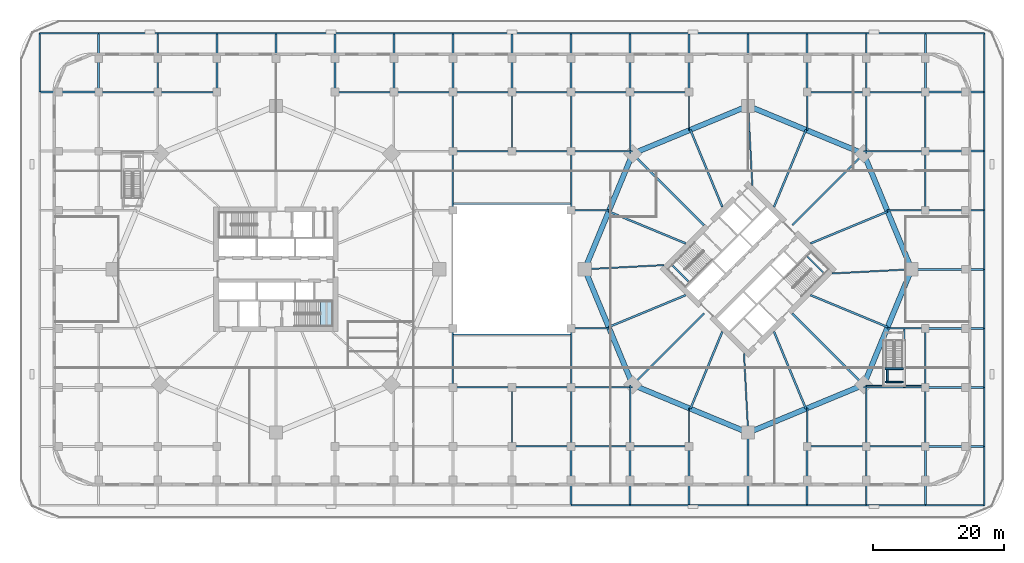
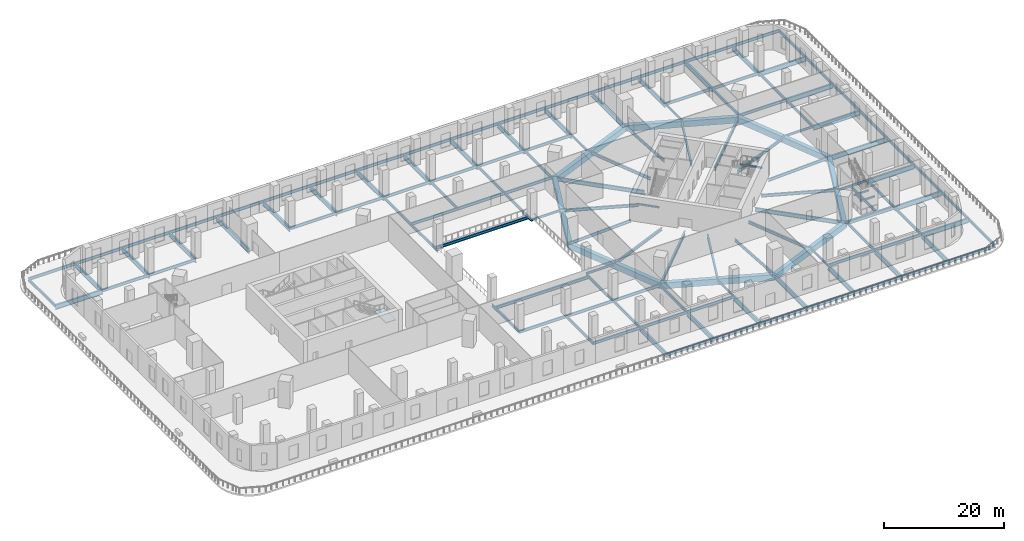
# One storey, part 2 of 20: 143 beams, 1 slab, 1 element without a shape of its own.
"""IFC4 building model written with IfcOpenShell, lengths in metres."""

from ifc_helpers import new_model, si_unit, direction, frame, origin, origin_2d, place, context, subcontext, project, spatial, polyline, rectangle, hollow_rectangle, i_section, outline, extrude, material, layer, layer_set, material_profile, profile_set, type_object, element, aggregate, save


model = new_model("IFC4")

# Units and contexts
model_context = context("Model", 3, precision=1e-05, world=origin(), true_north=direction((0.0, 1.0)))
body_context = subcontext(model_context, "Body", "Model", "MODEL_VIEW")
ifc_project = project(units=[si_unit("LENGTHUNIT", "METRE"), si_unit("AREAUNIT", "SQUARE_METRE"), si_unit("VOLUMEUNIT", "CUBIC_METRE"), si_unit("PLANEANGLEUNIT", "RADIAN"), si_unit("MASSUNIT", "GRAM", prefix="KILO")], contexts=[model_context])

# Site, building, storey
site_placement = place(None, origin())
site = spatial("IfcSite", under=ifc_project, at=site_placement, CompositionType="ELEMENT")
building_placement = place(site_placement, origin())
building = spatial("IfcBuilding", under=site, at=building_placement, Name="Ogive Gate Towers", CompositionType="ELEMENT")
storey_placement = place(building_placement, frame((0.0, 0.0, 7.199951171875)))
storey = spatial("IfcBuildingStorey", under=building, at=storey_placement, Name="L01", CompositionType="ELEMENT", Elevation=7.199951171875)

# Beams
ifc_material_1 = material(Name="Steel SM460", Category="steel")
ifc_material_profile_1 = material_profile(ifc_material_1, hollow_rectangle(XDim=0.800048828125, YDim=1.199951171875, WallThickness=0.050048828125, at=origin_2d()), Name="BX 1200x800x50")
ifc_profile_set_1 = profile_set([ifc_material_profile_1], Name="Steel SM460")
beam_type_1 = type_object("IfcBeamType", Name="Edge girder BX 1200x800x50", PredefinedType="BEAM", material=ifc_profile_set_1)
for number, where, z_axis, x_axis, name in (
    (1, (18.385986328125, -17.614013671875, -0.89990234375), (0.923880736283, -0.382680526191, 0.0), (0.382680526191, 0.923880736283, 0.0), "T2/L01/SBM017"),
    (2, (36.0, -24.909912109375, -0.89990234375), (0.923880736283, 0.382680526191, 0.0), (-0.382680526191, 0.923880736283, 0.0), "T2/L01/SBM018"),
    (3, (53.614013671875, -17.614013671875, -0.89990234375), (0.382680526191, 0.923880736283, 0.0), (-0.923880736283, 0.382680526191, 0.0), "T2/L01/SBM019"),
    (4, (60.909912109375, 0.0, -0.89990234375), (-0.382680526191, 0.923880736283, 0.0), (-0.923880736283, -0.382680526191, 0.0), "T2/L01/SBM020"),
    (5, (53.614013671875, 17.614013671875, -0.89990234375), (-0.923880736283, 0.382680526191, 0.0), (-0.382680526191, -0.923880736283, 0.0), "T2/L01/SBM021"),
    (6, (36.0, 24.909912109375, -0.89990234375), (-0.923880736283, -0.382680526191, 0.0), (0.382680526191, -0.923880736283, 0.0), "T2/L01/SBM022"),
    (7, (18.385986328125, 17.614013671875, -0.89990234375), (-0.382680526191, -0.923880736283, 0.0), (0.923880736283, -0.382680526191, 0.0), "T2/L01/SBM023"),
    (8, (11.090087890625, 0.0, -0.89990234375), (0.382680526191, -0.923880736283, 0.0), (0.923880736283, 0.382680526191, 0.0), "T2/L01/SBM024"),
):
    element("IfcBeam", number, at=place(storey_placement, frame(where, z_axis=z_axis, x_axis=x_axis)), inside=storey, type_object=beam_type_1, Name=name, PredefinedType="BEAM", context=body_context, shape_type="SweptSolid", body=[
        extrude(hollow_rectangle(XDim=0.800048828125, YDim=1.199951171875, WallThickness=0.050048828125, at=origin_2d()), origin(), (0.0, 0.0, 1.0), 19.065185546875),
    ])
ifc_material_2 = material(Name="Steel SM355", Category="steel")
ifc_material_profile_2 = material_profile(ifc_material_2, i_section(OverallWidth=0.300048828125, OverallDepth=0.590087890625, WebThickness=0.012939453125, FlangeThickness=0.02490234375, FilletRadius=0.027099609375, at=origin_2d()), Name="HE 600 A")
ifc_profile_set_2 = profile_set([ifc_material_profile_2], Name="Steel SM355")
beam_type_2 = type_object("IfcBeamType", Name="Floor beam HE 600 A", PredefinedType="BEAM", material=ifc_profile_set_2)
for number, where, z_axis, x_axis, name in (
    (9, (-9.0, -10.0, -0.594970703125), (1.0, 0.0, 0.0), (0.0, 1.0, 0.0), "PD/L01/SBM167"),
    (10, (-9.0, 10.0, -0.594970703125), (1.0, 0.0, 0.0), (0.0, 1.0, 0.0), "PD/L01/SBM168"),
):
    element("IfcBeam", number, at=place(storey_placement, frame(where, z_axis=z_axis, x_axis=x_axis)), inside=storey, type_object=beam_type_2, Name=name, PredefinedType="BEAM", context=body_context, shape_type="SweptSolid", body=[
        extrude(i_section(OverallWidth=0.300048828125, OverallDepth=0.590087890625, WebThickness=0.012939453125, FlangeThickness=0.02490234375, FilletRadius=0.027099609375, at=origin_2d()), origin(), (0.0, 0.0, 1.0), 18.0),
    ])
ifc_material_profile_3 = material_profile(ifc_material_2, i_section(OverallWidth=0.18994140625, OverallDepth=0.449951171875, WebThickness=0.009521484375, FlangeThickness=0.0146484375, FilletRadius=0.02099609375, at=origin_2d()), Name="IPE 450")
ifc_profile_set_3 = profile_set([ifc_material_profile_3], Name="Steel SM355")
beam_type_3 = type_object("IfcBeamType", Name="Floor beam IPE 450", PredefinedType="BEAM", material=ifc_profile_set_3)
for number, where, z_axis, x_axis, name in (
    (11, (9.0, -9.0, -0.52490234375), (1.0, 0.0, 0.0), (0.0, 1.0, 0.0), "PD/L01/SBM159"),
    (12, (9.0, 9.0, -0.52490234375), (1.0, 0.0, 0.0), (0.0, 1.0, 0.0), "PD/L01/SBM160"),
    (13, (27.0, -27.0, -0.52490234375), (0.0, 1.0, 0.0), (-1.0, 0.0, 0.0), "PD/L01/SBM161"),
    (14, (27.0, 27.0, -0.52490234375), (0.0, -1.0, 0.0), (1.0, 0.0, 0.0), "PD/L01/SBM162"),
    (15, (45.0, -27.0, -0.52490234375), (0.0, 1.0, 0.0), (-1.0, 0.0, 0.0), "PD/L01/SBM163"),
    (16, (45.0, 27.0, -0.52490234375), (0.0, -1.0, 0.0), (1.0, 0.0, 0.0), "PD/L01/SBM164"),
    (17, (63.0, -9.0, -0.52490234375), (-1.0, 0.0, 0.0), (0.0, -1.0, 0.0), "PD/L01/SBM165"),
    (18, (63.0, 9.0, -0.52490234375), (-1.0, 0.0, 0.0), (0.0, -1.0, 0.0), "PD/L01/SBM166"),
):
    element("IfcBeam", number, at=place(storey_placement, frame(where, z_axis=z_axis, x_axis=x_axis)), inside=storey, type_object=beam_type_3, Name=name, PredefinedType="BEAM", context=body_context, shape_type="SweptSolid", body=[
        extrude(i_section(OverallWidth=0.18994140625, OverallDepth=0.449951171875, WebThickness=0.009521484375, FlangeThickness=0.0146484375, FilletRadius=0.02099609375, at=origin_2d()), origin(), (0.0, 0.0, 1.0), 5.81787109375),
    ])
ifc_material_profile_4 = material_profile(ifc_material_2, i_section(OverallWidth=0.219970703125, OverallDepth=0.60009765625, WebThickness=0.011962890625, FlangeThickness=0.01904296875, FilletRadius=0.02392578125, at=origin_2d()), Name="IPE 600")
ifc_profile_set_4 = profile_set([ifc_material_profile_4], Name="Steel SM355")
beam_type_4 = type_object("IfcBeamType", Name="Floor beam IPE 600", PredefinedType="BEAM", material=ifc_profile_set_4)
for number, where, z_axis, x_axis, name in (
    (19, (-72.0, 27.0, -0.599853515625), (0.0, 1.0, 0.0), (-1.0, 0.0, 0.0), "PD/L01/SBM052"),
    (20, (-9.0, -18.0, -0.599853515625), (0.0, 1.0, 0.0), (-1.0, 0.0, 0.0), "PD/L01/SBM062"),
    (21, (-9.0, 9.0, -0.599853515625), (0.0, 1.0, 0.0), (-1.0, 0.0, 0.0), "PD/L01/SBM063"),
    (22, (-9.0, 18.0, -0.599853515625), (0.0, 1.0, 0.0), (-1.0, 0.0, 0.0), "PD/L01/SBM064"),
    (23, (0.0, -27.0, -0.599853515625), (0.0, 1.0, 0.0), (-1.0, 0.0, 0.0), "PD/L01/SBM065"),
    (24, (0.0, 18.0, -0.599853515625), (0.0, 1.0, 0.0), (-1.0, 0.0, 0.0), "PD/L01/SBM066"),
    (25, (9.0, -27.0, -0.599853515625), (0.0, 1.0, 0.0), (-1.0, 0.0, 0.0), "PD/L01/SBM067"),
    (26, (9.0, -18.0, -0.599853515625), (0.0, 1.0, 0.0), (-1.0, 0.0, 0.0), "PD/L01/SBM068"),
    (27, (9.0, 9.0, -0.599853515625), (0.0, 1.0, 0.0), (-1.0, 0.0, 0.0), "PD/L01/SBM069"),
    (28, (9.0, 18.0, -0.599853515625), (0.0, 1.0, 0.0), (-1.0, 0.0, 0.0), "PD/L01/SBM070"),
):
    element("IfcBeam", number, at=place(storey_placement, frame(where, z_axis=z_axis, x_axis=x_axis)), inside=storey, type_object=beam_type_4, Name=name, PredefinedType="BEAM", context=body_context, shape_type="SweptSolid", body=[
        extrude(i_section(OverallWidth=0.219970703125, OverallDepth=0.60009765625, WebThickness=0.011962890625, FlangeThickness=0.01904296875, FilletRadius=0.02392578125, at=origin_2d()), origin(), (0.0, 0.0, 1.0), 9.0),
    ])
for number, where, z_axis, x_axis, name in (
    (29, (18.0, -27.0, -0.599853515625), (0.0, 1.0, 0.0), (-1.0, 0.0, 0.0), "PD/L01/SBM071"),
    (30, (18.0, 17.614013671875, -0.599853515625), (0.0, 1.0, 0.0), (-1.0, 0.0, 0.0), "PD/L01/SBM072"),
    (31, (54.0, -27.0, -0.599853515625), (0.0, 1.0, 0.0), (-1.0, 0.0, 0.0), "PD/L01/SBM073"),
    (32, (54.0, 17.614013671875, -0.599853515625), (0.0, 1.0, 0.0), (-1.0, 0.0, 0.0), "PD/L01/SBM074"),
):
    element("IfcBeam", number, at=place(storey_placement, frame(where, z_axis=z_axis, x_axis=x_axis)), inside=storey, type_object=beam_type_4, Name=name, PredefinedType="BEAM", context=body_context, shape_type="SweptSolid", body=[
        extrude(i_section(OverallWidth=0.219970703125, OverallDepth=0.60009765625, WebThickness=0.011962890625, FlangeThickness=0.01904296875, FilletRadius=0.02392578125, at=origin_2d()), origin(), (0.0, 0.0, 1.0), 9.385986328125),
    ])
for number, where, z_axis, x_axis, name in (
    (33, (63.0, -27.0, -0.599853515625), (0.0, 1.0, 0.0), (-1.0, 0.0, 0.0), "PD/L01/SBM075"),
    (34, (63.0, -18.0, -0.599853515625), (0.0, 1.0, 0.0), (-1.0, 0.0, 0.0), "PD/L01/SBM076"),
    (35, (63.0, 9.0, -0.599853515625), (0.0, 1.0, 0.0), (-1.0, 0.0, 0.0), "PD/L01/SBM077"),
    (36, (63.0, 18.0, -0.599853515625), (0.0, 1.0, 0.0), (-1.0, 0.0, 0.0), "PD/L01/SBM078"),
    (37, (72.0, -36.0, -0.599853515625), (0.0, 1.0, 0.0), (-1.0, 0.0, 0.0), "PD/L01/SBM079"),
    (38, (72.0, -27.0, -0.599853515625), (0.0, 1.0, 0.0), (-1.0, 0.0, 0.0), "PD/L01/SBM080"),
    (39, (72.0, -18.0, -0.599853515625), (0.0, 1.0, 0.0), (-1.0, 0.0, 0.0), "PD/L01/SBM081"),
    (40, (72.0, -9.0, -0.599853515625), (0.0, 1.0, 0.0), (-1.0, 0.0, 0.0), "PD/L01/SBM082"),
    (41, (72.0, 0.0, -0.599853515625), (0.0, 1.0, 0.0), (-1.0, 0.0, 0.0), "PD/L01/SBM083"),
    (42, (72.0, 9.0, -0.599853515625), (0.0, 1.0, 0.0), (-1.0, 0.0, 0.0), "PD/L01/SBM084"),
    (43, (72.0, 18.0, -0.599853515625), (0.0, 1.0, 0.0), (-1.0, 0.0, 0.0), "PD/L01/SBM085"),
    (44, (72.0, 27.0, -0.599853515625), (0.0, 1.0, 0.0), (-1.0, 0.0, 0.0), "PD/L01/SBM086"),
    (45, (9.0, -36.0, -0.599853515625), (1.0, 0.0, 0.0), (0.0, 1.0, 0.0), "PD/L01/SBM096"),
    (46, (18.0, -36.0, -0.599853515625), (1.0, 0.0, 0.0), (0.0, 1.0, 0.0), "PD/L01/SBM097"),
    (47, (27.0, -36.0, -0.599853515625), (1.0, 0.0, 0.0), (0.0, 1.0, 0.0), "PD/L01/SBM098"),
    (48, (36.0, -36.0, -0.599853515625), (1.0, 0.0, 0.0), (0.0, 1.0, 0.0), "PD/L01/SBM099"),
    (49, (45.0, -36.0, -0.599853515625), (1.0, 0.0, 0.0), (0.0, 1.0, 0.0), "PD/L01/SBM100"),
    (50, (54.0, -36.0, -0.599853515625), (1.0, 0.0, 0.0), (0.0, 1.0, 0.0), "PD/L01/SBM101"),
    (51, (63.0, -36.0, -0.599853515625), (1.0, 0.0, 0.0), (0.0, 1.0, 0.0), "PD/L01/SBM102"),
    (52, (0.0, -27.0, -0.599853515625), (1.0, 0.0, 0.0), (0.0, 1.0, 0.0), "PD/L01/SBM108"),
    (53, (9.0, -27.0, -0.599853515625), (1.0, 0.0, 0.0), (0.0, 1.0, 0.0), "PD/L01/SBM109"),
    (54, (18.0, -27.0, -0.599853515625), (1.0, 0.0, 0.0), (0.0, 1.0, 0.0), "PD/L01/SBM110"),
    (55, (45.0, -27.0, -0.599853515625), (1.0, 0.0, 0.0), (0.0, 1.0, 0.0), "PD/L01/SBM111"),
    (56, (54.0, -27.0, -0.599853515625), (1.0, 0.0, 0.0), (0.0, 1.0, 0.0), "PD/L01/SBM112"),
    (57, (-9.0, -18.0, -0.599853515625), (1.0, 0.0, 0.0), (0.0, 1.0, 0.0), "PD/L01/SBM115"),
    (58, (0.0, -18.0, -0.599853515625), (1.0, 0.0, 0.0), (0.0, 1.0, 0.0), "PD/L01/SBM116"),
):
    element("IfcBeam", number, at=place(storey_placement, frame(where, z_axis=z_axis, x_axis=x_axis)), inside=storey, type_object=beam_type_4, Name=name, PredefinedType="BEAM", context=body_context, shape_type="SweptSolid", body=[
        extrude(i_section(OverallWidth=0.219970703125, OverallDepth=0.60009765625, WebThickness=0.011962890625, FlangeThickness=0.01904296875, FilletRadius=0.02392578125, at=origin_2d()), origin(), (0.0, 0.0, 1.0), 9.0),
    ])
for number, where, z_axis, x_axis, name in (
    (59, (9.0, -18.0, -0.599853515625), (1.0, 0.0, 0.0), (0.0, 1.0, 0.0), "PD/L01/SBM117"),
    (60, (53.614013671875, -18.0, -0.599853515625), (1.0, 0.0, 0.0), (0.0, 1.0, 0.0), "PD/L01/SBM118"),
):
    element("IfcBeam", number, at=place(storey_placement, frame(where, z_axis=z_axis, x_axis=x_axis)), inside=storey, type_object=beam_type_4, Name=name, PredefinedType="BEAM", context=body_context, shape_type="SweptSolid", body=[
        extrude(i_section(OverallWidth=0.219970703125, OverallDepth=0.60009765625, WebThickness=0.011962890625, FlangeThickness=0.01904296875, FilletRadius=0.02392578125, at=origin_2d()), origin(), (0.0, 0.0, 1.0), 9.385986328125),
    ])
for number, where, z_axis, x_axis, name in (
    (61, (-9.0, 18.0, -0.599853515625), (1.0, 0.0, 0.0), (0.0, 1.0, 0.0), "PD/L01/SBM121"),
    (62, (0.0, 18.0, -0.599853515625), (1.0, 0.0, 0.0), (0.0, 1.0, 0.0), "PD/L01/SBM122"),
):
    element("IfcBeam", number, at=place(storey_placement, frame(where, z_axis=z_axis, x_axis=x_axis)), inside=storey, type_object=beam_type_4, Name=name, PredefinedType="BEAM", context=body_context, shape_type="SweptSolid", body=[
        extrude(i_section(OverallWidth=0.219970703125, OverallDepth=0.60009765625, WebThickness=0.011962890625, FlangeThickness=0.01904296875, FilletRadius=0.02392578125, at=origin_2d()), origin(), (0.0, 0.0, 1.0), 9.0),
    ])
for number, where, z_axis, x_axis, name in (
    (63, (9.0, 18.0, -0.599853515625), (1.0, 0.0, 0.0), (0.0, 1.0, 0.0), "PD/L01/SBM123"),
    (64, (53.614013671875, 18.0, -0.599853515625), (1.0, 0.0, 0.0), (0.0, 1.0, 0.0), "PD/L01/SBM124"),
):
    element("IfcBeam", number, at=place(storey_placement, frame(where, z_axis=z_axis, x_axis=x_axis)), inside=storey, type_object=beam_type_4, Name=name, PredefinedType="BEAM", context=body_context, shape_type="SweptSolid", body=[
        extrude(i_section(OverallWidth=0.219970703125, OverallDepth=0.60009765625, WebThickness=0.011962890625, FlangeThickness=0.01904296875, FilletRadius=0.02392578125, at=origin_2d()), origin(), (0.0, 0.0, 1.0), 9.385986328125),
    ])
for number, where, z_axis, x_axis, name in (
    (65, (-63.0, 27.0, -0.599853515625), (1.0, 0.0, 0.0), (0.0, 1.0, 0.0), "PD/L01/SBM125"),
    (66, (-54.0, 27.0, -0.599853515625), (1.0, 0.0, 0.0), (0.0, 1.0, 0.0), "PD/L01/SBM126"),
    (67, (-27.0, 27.0, -0.599853515625), (1.0, 0.0, 0.0), (0.0, 1.0, 0.0), "PD/L01/SBM127"),
    (68, (-18.0, 27.0, -0.599853515625), (1.0, 0.0, 0.0), (0.0, 1.0, 0.0), "PD/L01/SBM128"),
    (69, (-9.0, 27.0, -0.599853515625), (1.0, 0.0, 0.0), (0.0, 1.0, 0.0), "PD/L01/SBM129"),
    (70, (0.0, 27.0, -0.599853515625), (1.0, 0.0, 0.0), (0.0, 1.0, 0.0), "PD/L01/SBM130"),
    (71, (9.0, 27.0, -0.599853515625), (1.0, 0.0, 0.0), (0.0, 1.0, 0.0), "PD/L01/SBM131"),
    (72, (18.0, 27.0, -0.599853515625), (1.0, 0.0, 0.0), (0.0, 1.0, 0.0), "PD/L01/SBM132"),
    (73, (45.0, 27.0, -0.599853515625), (1.0, 0.0, 0.0), (0.0, 1.0, 0.0), "PD/L01/SBM133"),
    (74, (54.0, 27.0, -0.599853515625), (1.0, 0.0, 0.0), (0.0, 1.0, 0.0), "PD/L01/SBM134"),
    (75, (-72.0, 36.0, -0.599853515625), (1.0, 0.0, 0.0), (0.0, 1.0, 0.0), "PD/L01/SBM135"),
    (76, (-63.0, 36.0, -0.599853515625), (1.0, 0.0, 0.0), (0.0, 1.0, 0.0), "PD/L01/SBM136"),
    (77, (-54.0, 36.0, -0.599853515625), (1.0, 0.0, 0.0), (0.0, 1.0, 0.0), "PD/L01/SBM137"),
    (78, (-45.0, 36.0, -0.599853515625), (1.0, 0.0, 0.0), (0.0, 1.0, 0.0), "PD/L01/SBM138"),
    (79, (-36.0, 36.0, -0.599853515625), (1.0, 0.0, 0.0), (0.0, 1.0, 0.0), "PD/L01/SBM139"),
    (80, (-27.0, 36.0, -0.599853515625), (1.0, 0.0, 0.0), (0.0, 1.0, 0.0), "PD/L01/SBM140"),
    (81, (-18.0, 36.0, -0.599853515625), (1.0, 0.0, 0.0), (0.0, 1.0, 0.0), "PD/L01/SBM141"),
    (82, (-9.0, 36.0, -0.599853515625), (1.0, 0.0, 0.0), (0.0, 1.0, 0.0), "PD/L01/SBM142"),
    (83, (0.0, 36.0, -0.599853515625), (1.0, 0.0, 0.0), (0.0, 1.0, 0.0), "PD/L01/SBM143"),
    (84, (9.0, 36.0, -0.599853515625), (1.0, 0.0, 0.0), (0.0, 1.0, 0.0), "PD/L01/SBM144"),
    (85, (18.0, 36.0, -0.599853515625), (1.0, 0.0, 0.0), (0.0, 1.0, 0.0), "PD/L01/SBM145"),
    (86, (27.0, 36.0, -0.599853515625), (1.0, 0.0, 0.0), (0.0, 1.0, 0.0), "PD/L01/SBM146"),
    (87, (36.0, 36.0, -0.599853515625), (1.0, 0.0, 0.0), (0.0, 1.0, 0.0), "PD/L01/SBM147"),
    (88, (45.0, 36.0, -0.599853515625), (1.0, 0.0, 0.0), (0.0, 1.0, 0.0), "PD/L01/SBM148"),
    (89, (54.0, 36.0, -0.599853515625), (1.0, 0.0, 0.0), (0.0, 1.0, 0.0), "PD/L01/SBM149"),
    (90, (63.0, 36.0, -0.599853515625), (1.0, 0.0, 0.0), (0.0, 1.0, 0.0), "PD/L01/SBM150"),
    (91, (54.0, -17.719970703125, -0.599853515625), (1.0, 0.0, 0.0), (0.0, 1.0, 0.0), "PD/L01/SBM171"),
    (92, (59.800048828125, -18.0, -0.599853515625), (0.0, 1.0, 0.0), (-1.0, 0.0, 0.0), "PD/L01/SBM172"),
):
    element("IfcBeam", number, at=place(storey_placement, frame(where, z_axis=z_axis, x_axis=x_axis)), inside=storey, type_object=beam_type_4, Name=name, PredefinedType="BEAM", context=body_context, shape_type="SweptSolid", body=[
        extrude(i_section(OverallWidth=0.219970703125, OverallDepth=0.60009765625, WebThickness=0.011962890625, FlangeThickness=0.01904296875, FilletRadius=0.02392578125, at=origin_2d()), origin(), (0.0, 0.0, 1.0), 9.0),
    ])
ifc_material_3 = material(Name="Concrete C40/50", Category="concrete")
ifc_material_profile_5 = material_profile(ifc_material_3, rectangle(XDim=0.25, YDim=0.300048828125, at=origin_2d()), Name="RC 250x300")
ifc_profile_set_5 = profile_set([ifc_material_profile_5], Name="Concrete C40/50")
beam_type_5 = type_object("IfcBeamType", Name="Landing bearer RC 250x300", PredefinedType="BEAM", material=ifc_profile_set_5)
for number, where, z_axis, x_axis, name in (
    (93, (24.373291015625, 0.677001953125, 2.35009765625), (0.707138693938, -0.707074866995, 0.0), (0.707074866995, 0.707138693938, 0.0), "T2 L01 stair 1 landing bearer 1"),
    (94, (47.626708984375, -0.677001953125, 2.35009765625), (-0.707138693938, 0.707074866995, 0.0), (-0.707074866995, -0.707138693938, 0.0), "T2 L01 stair 2 landing bearer 1"),
):
    element("IfcBeam", number, at=place(storey_placement, frame(where, z_axis=z_axis, x_axis=x_axis)), inside=storey, type_object=beam_type_5, Name=name, PredefinedType="BEAM", context=body_context, shape_type="SweptSolid", body=[
        extrude(rectangle(XDim=0.25, YDim=0.300048828125, at=origin_2d()), origin(), (0.0, 0.0, 1.0), 3.824951171875),
    ])
ifc_material_profile_6 = material_profile(ifc_material_3, rectangle(XDim=0.25, YDim=0.300048828125, at=origin_2d()), Name="RC 250x300")
ifc_profile_set_6 = profile_set([ifc_material_profile_6], Name="Concrete C40/50")
beam_type_6 = type_object("IfcBeamType", Name="Landing bearer RC 250x300 (stair)", PredefinedType="BEAM", material=ifc_profile_set_6)
for number, where, z_axis, x_axis, name in (
    (95, (56.85009765625, -15.169921875, 2.35009765625), (1.0, 0.0, 0.0), (0.0, 1.0, 0.0), "PS2 L01 landing 1 bearer 1"),
    (96, (56.85009765625, -17.169921875, 2.35009765625), (1.0, 0.0, 0.0), (0.0, 1.0, 0.0), "PS2 L01 landing 1 bearer 2"),
):
    element("IfcBeam", number, at=place(storey_placement, frame(where, z_axis=z_axis, x_axis=x_axis)), inside=storey, type_object=beam_type_6, Name=name, PredefinedType="BEAM", context=body_context, shape_type="SweptSolid", body=[
        extrude(rectangle(XDim=0.25, YDim=0.300048828125, at=origin_2d()), origin(), (0.0, 0.0, 1.0), 2.849853515625),
    ])
beam_1_placement = place(storey_placement, frame((57.199951171875, -15.294921875, 2.35009765625), z_axis=(0.0, -1.0, 0.0), x_axis=(1.0, 0.0, 0.0)))
element("IfcBeam", 97, at=beam_1_placement, inside=storey, type_object=beam_type_6, Name="PS2 L01 landing 1 bearer 3", PredefinedType="BEAM", context=body_context, shape_type="SweptSolid", body=[
    extrude(rectangle(XDim=0.25, YDim=0.300048828125, at=origin_2d()), origin(), (0.0, 0.0, 1.0), 1.75),
])
ifc_material_profile_7 = material_profile(ifc_material_2, i_section(OverallWidth=0.300048828125, OverallDepth=0.590087890625, WebThickness=0.012939453125, FlangeThickness=0.02490234375, FilletRadius=0.027099609375, at=origin_2d()), Name="HE 600 A")
ifc_profile_set_7 = profile_set([ifc_material_profile_7], Name="Steel SM355")
beam_type_7 = type_object("IfcBeamType", Name="Radial floor beam HE 600 A", PredefinedType="BEAM", material=ifc_profile_set_7)
for number, where, z_axis, x_axis, name in (
    (98, (32.06494140625, -9.5, -0.594970703125), (-0.382690523214, -0.923876595354, 0.0), (0.923876595354, -0.382690523214, 0.0), "T2/L01/SBM002"),
    (99, (39.93505859375, -9.5, -0.594970703125), (0.382690523214, -0.923876595354, 0.0), (0.923876595354, 0.382690523214, 0.0), "T2/L01/SBM004"),
    (100, (45.5, -3.93505859375, -0.594970703125), (0.923876595354, -0.382690523214, 0.0), (0.382690523214, 0.923876595354, 0.0), "T2/L01/SBM006"),
    (101, (45.5, 3.93505859375, -0.594970703125), (0.923876595354, 0.382690523214, 0.0), (-0.382690523214, 0.923876595354, 0.0), "T2/L01/SBM008"),
    (102, (39.93505859375, 9.5, -0.594970703125), (0.382690523214, 0.923876595354, 0.0), (-0.923876595354, 0.382690523214, 0.0), "T2/L01/SBM010"),
    (103, (32.06494140625, 9.5, -0.594970703125), (-0.382690523214, 0.923876595354, 0.0), (-0.923876595354, -0.382690523214, 0.0), "T2/L01/SBM012"),
    (104, (26.5, 3.93505859375, -0.594970703125), (-0.923876595354, 0.382690523214, 0.0), (-0.382690523214, -0.923876595354, 0.0), "T2/L01/SBM014"),
    (105, (26.5, -3.93505859375, -0.594970703125), (-0.923876595354, -0.382690523214, 0.0), (0.382690523214, -0.923876595354, 0.0), "T2/L01/SBM016"),
):
    element("IfcBeam", number, at=place(storey_placement, frame(where, z_axis=z_axis, x_axis=x_axis)), inside=storey, type_object=beam_type_7, Name=name, PredefinedType="BEAM", context=body_context, shape_type="SweptSolid", body=[
        extrude(i_section(OverallWidth=0.300048828125, OverallDepth=0.590087890625, WebThickness=0.012939453125, FlangeThickness=0.02490234375, FilletRadius=0.027099609375, at=origin_2d()), origin(), (0.0, 0.0, 1.0), 12.731201171875),
    ])
ifc_material_profile_8 = material_profile(ifc_material_2, i_section(OverallWidth=0.300048828125, OverallDepth=0.7900390625, WebThickness=0.014892578125, FlangeThickness=0.028076171875, FilletRadius=0.030029296875, at=origin_2d()), Name="HE 800 A")
ifc_profile_set_8 = profile_set([ifc_material_profile_8], Name="Steel SM355")
beam_type_8 = type_object("IfcBeamType", Name="Radial floor beam HE 800 A", PredefinedType="BEAM", material=ifc_profile_set_8)
for number, where, z_axis, x_axis, name in (
    (106, (29.282470703125, -6.717529296875, -0.695068359375), (-0.707106781187, -0.707106781187, 0.0), (0.707106781187, -0.707106781187, 0.0), "T2/L01/SBM001"),
    (107, (42.717529296875, -6.717529296875, -0.695068359375), (0.707106781187, -0.707106781187, 0.0), (0.707106781187, 0.707106781187, 0.0), "T2/L01/SBM005"),
    (108, (42.717529296875, 6.717529296875, -0.695068359375), (0.707106781187, 0.707106781187, 0.0), (-0.707106781187, 0.707106781187, 0.0), "T2/L01/SBM009"),
    (109, (29.282470703125, 6.717529296875, -0.695068359375), (-0.707106781187, 0.707106781187, 0.0), (-0.707106781187, -0.707106781187, 0.0), "T2/L01/SBM013"),
):
    element("IfcBeam", number, at=place(storey_placement, frame(where, z_axis=z_axis, x_axis=x_axis)), inside=storey, type_object=beam_type_8, Name=name, PredefinedType="BEAM", context=body_context, shape_type="SweptSolid", body=[
        extrude(i_section(OverallWidth=0.300048828125, OverallDepth=0.7900390625, WebThickness=0.014892578125, FlangeThickness=0.028076171875, FilletRadius=0.030029296875, at=origin_2d()), origin(), (0.0, 0.0, 1.0), 15.409912109375),
    ])
ifc_material_profile_9 = material_profile(ifc_material_2, i_section(OverallWidth=0.219970703125, OverallDepth=0.60009765625, WebThickness=0.011962890625, FlangeThickness=0.01904296875, FilletRadius=0.02392578125, at=origin_2d()), Name="IPE 600")
ifc_profile_set_9 = profile_set([ifc_material_profile_9], Name="Steel SM355")
beam_type_9 = type_object("IfcBeamType", Name="Radial floor beam IPE 600", PredefinedType="BEAM", material=ifc_profile_set_9)
for number, where, z_axis, x_axis, name in (
    (110, (35.363525390625, -12.798583984375, -0.599853515625), (0.052479590907, -0.998621996823, 0.0), (0.998621996823, 0.052479590907, 0.0), "T2/L01/SBM003"),
    (111, (48.798583984375, -0.636474609375, -0.599853515625), (0.998621996823, 0.052479590907, 0.0), (-0.052479590907, 0.998621996823, 0.0), "T2/L01/SBM007"),
    (112, (36.636474609375, 12.798583984375, -0.599853515625), (-0.052479590907, 0.998621996823, 0.0), (-0.998621996823, -0.052479590907, 0.0), "T2/L01/SBM011"),
    (113, (23.201416015625, 0.636474609375, -0.599853515625), (-0.998621996823, -0.052479590907, 0.0), (0.052479590907, -0.998621996823, 0.0), "T2/L01/SBM015"),
):
    element("IfcBeam", number, at=place(storey_placement, frame(where, z_axis=z_axis, x_axis=x_axis)), inside=storey, type_object=beam_type_9, Name=name, PredefinedType="BEAM", context=body_context, shape_type="SweptSolid", body=[
        extrude(i_section(OverallWidth=0.219970703125, OverallDepth=0.60009765625, WebThickness=0.011962890625, FlangeThickness=0.01904296875, FilletRadius=0.02392578125, at=origin_2d()), origin(), (0.0, 0.0, 1.0), 12.1279296875),
    ])
ifc_material_profile_10 = material_profile(ifc_material_1, i_section(OverallWidth=0.300048828125, OverallDepth=0.989990234375, WebThickness=0.0166015625, FlangeThickness=0.031005859375, FilletRadius=0.030029296875, at=origin_2d()), Name="HE 1000 A")
ifc_profile_set_10 = profile_set([ifc_material_profile_10], Name="Steel SM460")
beam_type_10 = type_object("IfcBeamType", Name="Transfer girder HE 1000 A", PredefinedType="BEAM", material=ifc_profile_set_10)
for number, where, z_axis, x_axis, name in (
    (114, (-63.0, 27.0, -0.794921875), (0.0, 1.0, 0.0), (-1.0, 0.0, 0.0), "PD/L01/SBM002"),
    (115, (-54.0, 27.0, -0.794921875), (0.0, 1.0, 0.0), (-1.0, 0.0, 0.0), "PD/L01/SBM004"),
    (116, (-45.0, 27.0, -0.794921875), (0.0, 1.0, 0.0), (-1.0, 0.0, 0.0), "PD/L01/SBM006"),
):
    element("IfcBeam", number, at=place(storey_placement, frame(where, z_axis=z_axis, x_axis=x_axis)), inside=storey, type_object=beam_type_10, Name=name, PredefinedType="BEAM", context=body_context, shape_type="SweptSolid", body=[
        extrude(i_section(OverallWidth=0.300048828125, OverallDepth=0.989990234375, WebThickness=0.0166015625, FlangeThickness=0.031005859375, FilletRadius=0.030029296875, at=origin_2d()), origin(), (0.0, 0.0, 1.0), 9.0),
    ])
beam_2_placement = place(storey_placement, frame((-36.0, 24.909912109375, -0.794921875), z_axis=(0.0, 1.0, 0.0), x_axis=(-1.0, 0.0, 0.0)))
element("IfcBeam", 117, at=beam_2_placement, inside=storey, type_object=beam_type_10, Name="PD/L01/SBM008", PredefinedType="BEAM", context=body_context, shape_type="SweptSolid", body=[
    extrude(i_section(OverallWidth=0.300048828125, OverallDepth=0.989990234375, WebThickness=0.0166015625, FlangeThickness=0.031005859375, FilletRadius=0.030029296875, at=origin_2d()), origin(), (0.0, 0.0, 1.0), 11.090087890625),
])
for number, where, z_axis, x_axis, name in (
    (118, (-27.0, 27.0, -0.794921875), (0.0, 1.0, 0.0), (-1.0, 0.0, 0.0), "PD/L01/SBM010"),
    (119, (-18.0, 27.0, -0.794921875), (0.0, 1.0, 0.0), (-1.0, 0.0, 0.0), "PD/L01/SBM012"),
    (120, (-9.0, 27.0, -0.794921875), (0.0, 1.0, 0.0), (-1.0, 0.0, 0.0), "PD/L01/SBM014"),
    (121, (0.0, 27.0, -0.794921875), (0.0, 1.0, 0.0), (-1.0, 0.0, 0.0), "PD/L01/SBM016"),
    (122, (9.0, -36.0, -0.794921875), (0.0, 1.0, 0.0), (-1.0, 0.0, 0.0), "PD/L01/SBM017"),
    (123, (9.0, 27.0, -0.794921875), (0.0, 1.0, 0.0), (-1.0, 0.0, 0.0), "PD/L01/SBM018"),
    (124, (18.0, -36.0, -0.794921875), (0.0, 1.0, 0.0), (-1.0, 0.0, 0.0), "PD/L01/SBM019"),
    (125, (18.0, 27.0, -0.794921875), (0.0, 1.0, 0.0), (-1.0, 0.0, 0.0), "PD/L01/SBM020"),
    (126, (27.0, -36.0, -0.794921875), (0.0, 1.0, 0.0), (-1.0, 0.0, 0.0), "PD/L01/SBM021"),
    (127, (27.0, 27.0, -0.794921875), (0.0, 1.0, 0.0), (-1.0, 0.0, 0.0), "PD/L01/SBM022"),
):
    element("IfcBeam", number, at=place(storey_placement, frame(where, z_axis=z_axis, x_axis=x_axis)), inside=storey, type_object=beam_type_10, Name=name, PredefinedType="BEAM", context=body_context, shape_type="SweptSolid", body=[
        extrude(i_section(OverallWidth=0.300048828125, OverallDepth=0.989990234375, WebThickness=0.0166015625, FlangeThickness=0.031005859375, FilletRadius=0.030029296875, at=origin_2d()), origin(), (0.0, 0.0, 1.0), 9.0),
    ])
for number, where, z_axis, x_axis, name in (
    (128, (36.0, -36.0, -0.794921875), (0.0, 1.0, 0.0), (-1.0, 0.0, 0.0), "PD/L01/SBM023"),
    (129, (36.0, 24.909912109375, -0.794921875), (0.0, 1.0, 0.0), (-1.0, 0.0, 0.0), "PD/L01/SBM024"),
):
    element("IfcBeam", number, at=place(storey_placement, frame(where, z_axis=z_axis, x_axis=x_axis)), inside=storey, type_object=beam_type_10, Name=name, PredefinedType="BEAM", context=body_context, shape_type="SweptSolid", body=[
        extrude(i_section(OverallWidth=0.300048828125, OverallDepth=0.989990234375, WebThickness=0.0166015625, FlangeThickness=0.031005859375, FilletRadius=0.030029296875, at=origin_2d()), origin(), (0.0, 0.0, 1.0), 11.090087890625),
    ])
for number, where, z_axis, x_axis, name in (
    (130, (45.0, -36.0, -0.794921875), (0.0, 1.0, 0.0), (-1.0, 0.0, 0.0), "PD/L01/SBM025"),
    (131, (45.0, 27.0, -0.794921875), (0.0, 1.0, 0.0), (-1.0, 0.0, 0.0), "PD/L01/SBM026"),
    (132, (54.0, -36.0, -0.794921875), (0.0, 1.0, 0.0), (-1.0, 0.0, 0.0), "PD/L01/SBM027"),
    (133, (54.0, 27.0, -0.794921875), (0.0, 1.0, 0.0), (-1.0, 0.0, 0.0), "PD/L01/SBM028"),
    (134, (63.0, -36.0, -0.794921875), (0.0, 1.0, 0.0), (-1.0, 0.0, 0.0), "PD/L01/SBM029"),
    (135, (63.0, 27.0, -0.794921875), (0.0, 1.0, 0.0), (-1.0, 0.0, 0.0), "PD/L01/SBM030"),
    (136, (63.0, -27.0, -0.794921875), (1.0, 0.0, 0.0), (0.0, 1.0, 0.0), "PD/L01/SBM032"),
    (137, (63.0, -18.0, -0.794921875), (1.0, 0.0, 0.0), (0.0, 1.0, 0.0), "PD/L01/SBM034"),
    (138, (63.0, -9.0, -0.794921875), (1.0, 0.0, 0.0), (0.0, 1.0, 0.0), "PD/L01/SBM036"),
):
    element("IfcBeam", number, at=place(storey_placement, frame(where, z_axis=z_axis, x_axis=x_axis)), inside=storey, type_object=beam_type_10, Name=name, PredefinedType="BEAM", context=body_context, shape_type="SweptSolid", body=[
        extrude(i_section(OverallWidth=0.300048828125, OverallDepth=0.989990234375, WebThickness=0.0166015625, FlangeThickness=0.031005859375, FilletRadius=0.030029296875, at=origin_2d()), origin(), (0.0, 0.0, 1.0), 9.0),
    ])
beam_3_placement = place(storey_placement, frame((60.909912109375, 0.0, -0.794921875), z_axis=(1.0, 0.0, 0.0), x_axis=(0.0, 1.0, 0.0)))
element("IfcBeam", 139, at=beam_3_placement, inside=storey, type_object=beam_type_10, Name="PD/L01/SBM038", PredefinedType="BEAM", context=body_context, shape_type="SweptSolid", body=[
    extrude(i_section(OverallWidth=0.300048828125, OverallDepth=0.989990234375, WebThickness=0.0166015625, FlangeThickness=0.031005859375, FilletRadius=0.030029296875, at=origin_2d()), origin(), (0.0, 0.0, 1.0), 11.090087890625),
])
for number, where, z_axis, x_axis, name in (
    (140, (63.0, 9.0, -0.794921875), (1.0, 0.0, 0.0), (0.0, 1.0, 0.0), "PD/L01/SBM040"),
    (141, (63.0, 18.0, -0.794921875), (1.0, 0.0, 0.0), (0.0, 1.0, 0.0), "PD/L01/SBM042"),
    (142, (-72.0, 27.0, -0.794921875), (1.0, 0.0, 0.0), (0.0, 1.0, 0.0), "PD/L01/SBM043"),
    (143, (63.0, 27.0, -0.794921875), (1.0, 0.0, 0.0), (0.0, 1.0, 0.0), "PD/L01/SBM044"),
):
    element("IfcBeam", number, at=place(storey_placement, frame(where, z_axis=z_axis, x_axis=x_axis)), inside=storey, type_object=beam_type_10, Name=name, PredefinedType="BEAM", context=body_context, shape_type="SweptSolid", body=[
        extrude(i_section(OverallWidth=0.300048828125, OverallDepth=0.989990234375, WebThickness=0.0166015625, FlangeThickness=0.031005859375, FilletRadius=0.030029296875, at=origin_2d()), origin(), (0.0, 0.0, 1.0), 9.0),
    ])

# Stair, slab
stair_type = type_object("IfcStairType", Name="Escape stair 1840 wide", PredefinedType="HALF_TURN_STAIR", material=ifc_material_3)
stair_placement = place(storey_placement, origin())
stair = element("IfcStair", 144, at=stair_placement, inside=storey, type_object=stair_type, Name="L01 Escape stair 2", PredefinedType="HALF_TURN_STAIR")
ifc_layer = layer(ifc_material_3, 0.199951171875)
ifc_layer_set = layer_set([ifc_layer], Name="Stair landing 200 mm")
slab_type = type_object("IfcSlabType", Name="Stair landing 200 mm", PredefinedType="LANDING", material=ifc_layer_set)
slab_placement = place(storey_placement, frame((0.0, 0.0, 2.5)))
slab = element("IfcSlab", 145, at=slab_placement, type_object=slab_type, Name="ST2 landing 1", PredefinedType="LANDING", context=body_context, shape_type="SweptSolid", body=[
    extrude(outline(polyline([(-29.215087890625, -8.699951171875), (-27.300048828125, -8.699951171875), (-27.300048828125, -4.875), (-29.215087890625, -4.875), (-29.215087890625, -8.699951171875)])), origin(), (0.0, 0.0, 1.0), 0.199951171875),
])
aggregate(stair, [slab])

save(model, "model.ifc")
